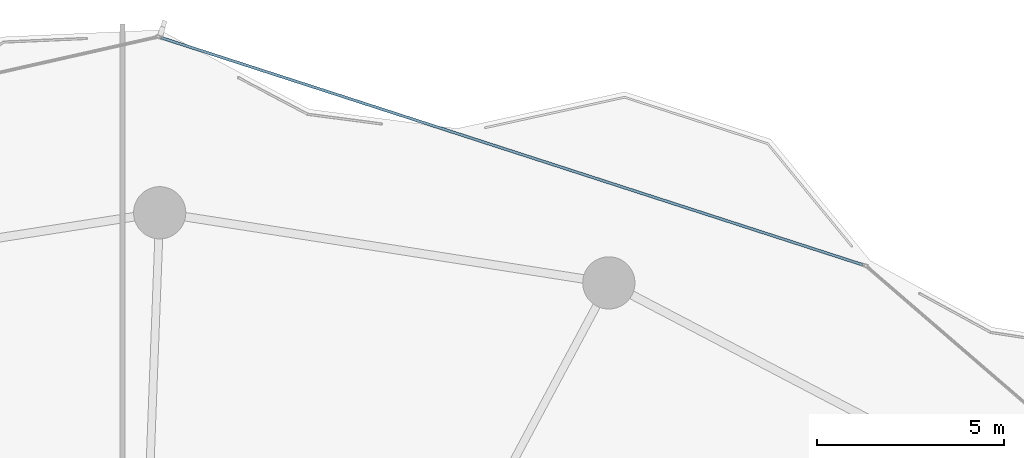
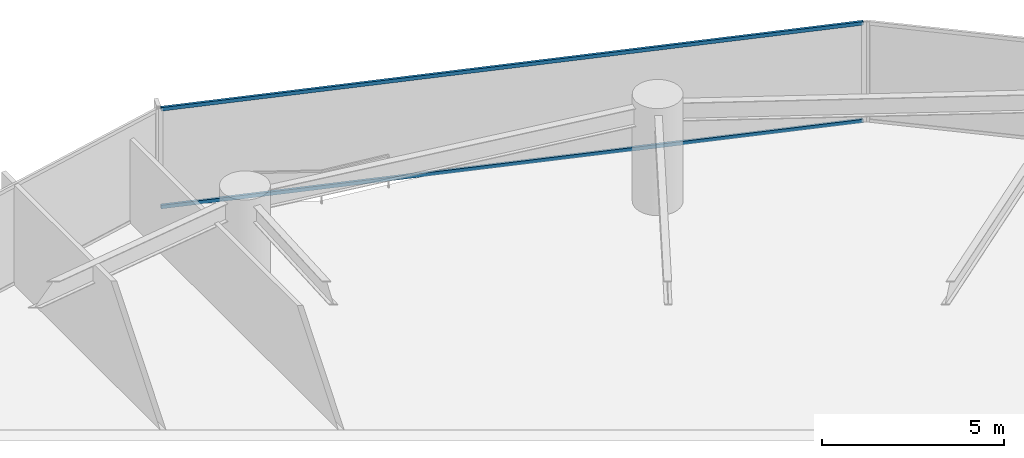
# One storey, part 22 of 33: 2 members, 1 element without a shape of its own.
"""IFC4 building model written with IfcOpenShell, lengths in metres."""

from ifc_helpers import new_model, si_unit, direction, frame, origin, origin_2d, place, context, subcontext, project, spatial, hollow_rectangle, extrude, material, layer, layer_set, material_profile, profile_set, type_object, element, aggregate, save


model = new_model("IFC4")

# Units and contexts
model_context = context("Model", 3, precision=1e-05, world=origin(), true_north=direction((0.0, 1.0)))
body_context = subcontext(model_context, "Body", "Model", "MODEL_VIEW")
ifc_project = project(units=[si_unit("LENGTHUNIT", "METRE"), si_unit("AREAUNIT", "SQUARE_METRE"), si_unit("VOLUMEUNIT", "CUBIC_METRE"), si_unit("PLANEANGLEUNIT", "RADIAN"), si_unit("MASSUNIT", "GRAM", prefix="KILO")], contexts=[model_context])

# Site, building, storey
site_placement = place(None, origin())
site = spatial("IfcSite", under=ifc_project, at=site_placement, CompositionType="ELEMENT")
building_placement = place(site_placement, origin())
building = spatial("IfcBuilding", under=site, at=building_placement, Name="Kazevale Care Tower and Concert Hall", CompositionType="ELEMENT")
storey_placement = place(building_placement, frame((0.0, 0.0, 27.60009765625)))
storey = spatial("IfcBuildingStorey", under=building, at=storey_placement, Name="L06", CompositionType="ELEMENT", Elevation=27.60009765625)

# Curtain wall, members
ifc_material_1 = material(Name="Aluminium 6063-T6 and Low-E Glass", Category="aluminium")
ifc_layer = layer(ifc_material_1, 0.179931640625)
ifc_layer_set = layer_set([ifc_layer], Name="Aluminium 6063-T6 and Low-E Glass")
curtain_wall_type = type_object("IfcCurtainWallType", Name="Convex Checkerboard Finned Curtain Wall CW-2", PredefinedType="NOTDEFINED", material=ifc_layer_set)
curtain_wall_placement = place(storey_placement, origin())
curtain_wall = element("IfcCurtainWall", 1, at=curtain_wall_placement, inside=storey, type_object=curtain_wall_type, Name="cw:L06:f16", PredefinedType="NOTDEFINED")
ifc_material_2 = material(Name="Aluminium 6063-T6", Category="aluminium")
ifc_material_profile = material_profile(ifc_material_2, hollow_rectangle(XDim=0.074951171875, YDim=0.1201171875, WallThickness=0.00390625, at=origin_2d()), Name="ALU75x120x4")
ifc_profile_set = profile_set([ifc_material_profile], Name="Aluminium 6063-T6")
member_type = type_object("IfcMemberType", Name="CW-2 Transom ALU75x120x4", PredefinedType="USERDEFINED", material=ifc_profile_set)
member_1_placement = place(storey_placement, frame((45.03515625, 67.34326171875, 0.037353515625), z_axis=(0.951413042648, -0.3079175576, 0.0), x_axis=(0.3079175576, 0.951413042648, 0.0)))
member_1 = element("IfcMember", 2, at=member_1_placement, type_object=member_type, Name="CW-2 transom 1.1", ObjectType="TRANSOM", PredefinedType="USERDEFINED", context=body_context, shape_type="SweptSolid", body=[
    extrude(hollow_rectangle(XDim=0.074951171875, YDim=0.1201171875, WallThickness=0.00390625, at=origin_2d()), origin(), (0.0, 0.0, 1.0), 19.77978515625),
])
member_2_placement = place(storey_placement, frame((45.03515625, 67.34326171875, 3.322509765625), z_axis=(0.951413042648, -0.3079175576, 0.0), x_axis=(0.3079175576, 0.951413042648, 0.0)))
member_2 = element("IfcMember", 3, at=member_2_placement, type_object=member_type, Name="CW-2 transom 1.2", ObjectType="TRANSOM", PredefinedType="USERDEFINED", context=body_context, shape_type="SweptSolid", body=[
    extrude(hollow_rectangle(XDim=0.074951171875, YDim=0.1201171875, WallThickness=0.00390625, at=origin_2d()), origin(), (0.0, 0.0, 1.0), 19.77978515625),
])
aggregate(curtain_wall, [member_1, member_2])

save(model, "model.ifc")
